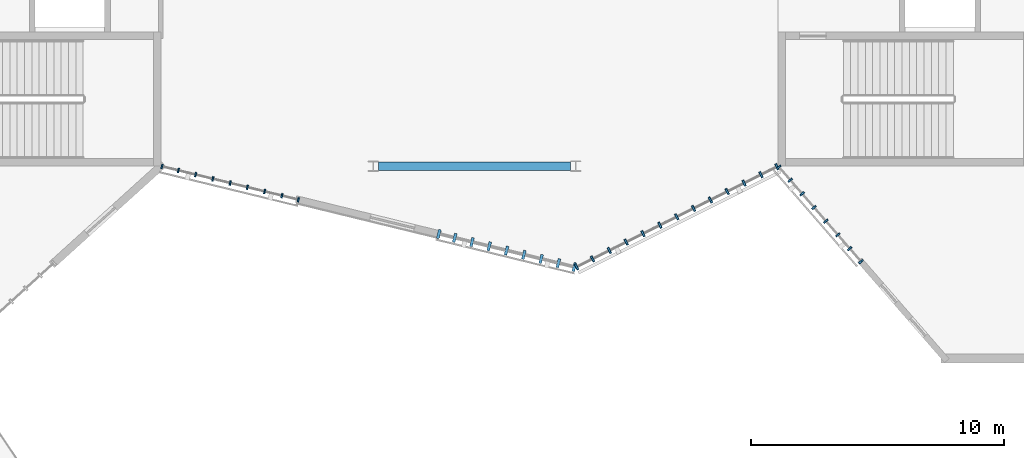
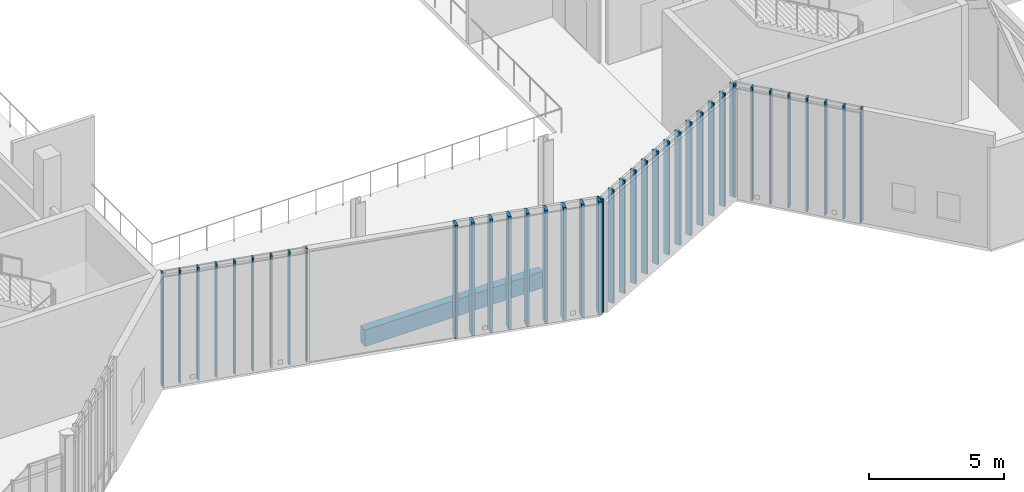
# One storey, part 24 of 127: 39 members, 1 beam, 4 elements without a shape of their own.
"""IFC4 building model written with IfcOpenShell, lengths in metres."""

import ifcopenshell
import ifcopenshell.guid

model = None  # the IFC model being written
_history = None  # IfcOwnerHistory: only IFC2X3 demands one
_inside = {}  # id of a spatial element -> (the spatial element, [elements in it])
_under = {}  # id of a project, library or spatial element -> (it, [spatial elements below it])
_declared = {}  # id of a project -> (the project, [libraries it declares])
_typed = {}  # id of a type object -> (the type object, [elements of that type])
_made_of = {}  # id of a material, layer set ... -> (it, [elements and type objects made of it])


def new_model(schema):
    """Start an empty IFC model of exactly this schema.

    Asked for "IFC4X3", IfcOpenShell would pick the latest addendum, in which some entities
    have other attributes; the version numbers below select the first issue.
    IFC2X3 requires an IfcOwnerHistory on every rooted entity: one is made here for all.
    """
    global model, _history
    if schema == "IFC4X3":
        model = ifcopenshell.file(schema_version=(4, 3, 0, 0))
    else:
        model = ifcopenshell.file(schema=schema)
    _inside.clear()
    _under.clear()
    _declared.clear()
    _typed.clear()
    _made_of.clear()
    _history = None
    if model.schema == "IFC2X3":
        org = make("IfcOrganization", Name="unknown")
        user = make(
            "IfcPersonAndOrganization",
            ThePerson=make("IfcPerson", FamilyName="unknown"),
            TheOrganization=org,
        )
        app = make(
            "IfcApplication",
            ApplicationDeveloper=org,
            Version="unknown",
            ApplicationFullName="unknown",
            ApplicationIdentifier="unknown",
        )
        _history = make(
            "IfcOwnerHistory",
            OwningUser=user,
            OwningApplication=app,
            ChangeAction="ADDED",
            CreationDate=0,
        )
    return model


def make(cls, **values):
    """One entity of the class cls with the attributes given. An attribute that is None is left unset."""
    return model.create_entity(
        cls, **{name: value for name, value in values.items() if value is not None}
    )


def rooted(cls, **values):
    """An entity with a GlobalId (a new one), such as an element, a storey or a relation."""
    return make(cls, GlobalId=ifcopenshell.guid.new(), OwnerHistory=_history, **values)


def si_unit(unit_type, name, prefix=None):
    """IfcSIUnit, for example si_unit("LENGTHUNIT", "METRE", prefix="MILLI")."""
    return make("IfcSIUnit", UnitType=unit_type, Prefix=prefix, Name=name)


def assignment(units):
    """IfcUnitAssignment: the units of a project."""
    return None if units is None else make("IfcUnitAssignment", Units=units)


def point(xyz):
    """IfcCartesianPoint."""
    return None if xyz is None else make("IfcCartesianPoint", Coordinates=xyz)


def direction(xyz):
    """IfcDirection."""
    return None if xyz is None else make("IfcDirection", DirectionRatios=xyz)


def frame(location, z_axis=None, x_axis=None):
    """IfcAxis2Placement3D, a coordinate frame: its origin and axes. An axis left out is left unset."""
    return make(
        "IfcAxis2Placement3D",
        Location=point(location),
        Axis=direction(z_axis),
        RefDirection=direction(x_axis),
    )


def frame_2d(location, x_axis=None):
    """IfcAxis2Placement2D, a coordinate frame in the plane: its origin and x axis."""
    return make(
        "IfcAxis2Placement2D", Location=point(location), RefDirection=direction(x_axis)
    )


def origin():
    """The frame at (0, 0, 0) with its axes left unset."""
    return frame((0.0, 0.0, 0.0))


def origin_2d():
    """The frame at (0, 0) in the plane with its x axis left unset."""
    return frame_2d((0.0, 0.0))


def place(relative_to, where):
    """IfcLocalPlacement: puts the frame where relative to a parent placement (None: the world)."""
    return make(
        "IfcLocalPlacement", PlacementRelTo=relative_to, RelativePlacement=where
    )


def context(
    kind, dimensions, precision=None, world=None, true_north=None, identifier=None
):
    """IfcGeometricRepresentationContext, for example the 3D "Model" context."""
    return make(
        "IfcGeometricRepresentationContext",
        ContextIdentifier=identifier,
        ContextType=kind,
        CoordinateSpaceDimension=dimensions,
        Precision=precision,
        WorldCoordinateSystem=world,
        TrueNorth=true_north,
    )


def subcontext(parent, identifier, kind, view, scale=None):
    """IfcGeometricRepresentationSubContext, for example "Body" below "Model"."""
    return make(
        "IfcGeometricRepresentationSubContext",
        ContextIdentifier=identifier,
        ContextType=kind,
        ParentContext=parent,
        TargetScale=scale,
        TargetView=view,
    )


def project(units=None, contexts=None):
    """IfcProject with its units and contexts."""
    return rooted(
        "IfcProject",
        Name="project",
        RepresentationContexts=contexts,
        UnitsInContext=assignment(units),
    )


def spatial(cls, under=None, at=None, **own):
    """A site, building, storey or space (cls), placed at a placement, below another one or the project."""
    s = rooted(cls, ObjectPlacement=at, **own)
    if under is not None:
        _under.setdefault(under.id(), (under, []))[1].append(s)
    return s


def profile(cls, at=None, kind="AREA", **sizes):
    """A parametric profile (cls). Its sizes go by their IFC names, for example OverallWidth=200.0."""
    return make(cls, ProfileType=kind, Position=at, **sizes)


def rectangle(**sizes):
    """IfcRectangleProfileDef."""
    return profile("IfcRectangleProfileDef", **sizes)


def extrude(swept, where, along, depth):
    """IfcExtrudedAreaSolid: the profile swept, set in the frame where, extruded along a direction by depth."""
    return make(
        "IfcExtrudedAreaSolid",
        SweptArea=swept,
        Position=where,
        ExtrudedDirection=direction(along),
        Depth=depth,
    )


def shape(context_of_items, identifier, shape_type, items):
    """IfcShapeRepresentation: the items that make up one representation, for example the "Body"."""
    return make(
        "IfcShapeRepresentation",
        ContextOfItems=context_of_items,
        RepresentationIdentifier=identifier,
        RepresentationType=shape_type,
        Items=items,
    )


def material(Name=None, Category=None):
    """IfcMaterial."""
    return make("IfcMaterial", Name=Name, Category=Category)


def material_profile(
    of_material, cross_section, Name=None, Category=None, Priority=None
):
    """IfcMaterialProfile: a cross section and its material."""
    return make(
        "IfcMaterialProfile",
        Name=Name,
        Material=of_material,
        Profile=cross_section,
        Priority=Priority,
        Category=Category,
    )


def profile_set(profiles, Name=None, composite=None):
    """IfcMaterialProfileSet."""
    return make(
        "IfcMaterialProfileSet",
        Name=Name,
        MaterialProfiles=profiles,
        CompositeProfile=composite,
    )


def made_of(thing, what):
    """Note that an element or type object is made of a material, layer set ...; save() writes the relation."""
    if what is not None:
        _made_of.setdefault(what.id(), (what, []))[1].append(thing)
    return thing


def type_object(cls, material=None, **own):
    """A type object (cls), such as IfcWallType, which elements share."""
    return made_of(rooted(cls, **own), material)


def element(
    cls,
    number,
    at=None,
    inside=None,
    cuts=None,
    type_object=None,
    material=None,
    context=None,
    identifier="Body",
    shape_type=None,
    held_by="IfcProductDefinitionShape",
    body=None,
    shapes=None,
    **own,
):
    """One element of the class cls, such as IfcWall. Its Tag is "e" and its number.

    at: its placement. inside: the storey or other place that contains it. cuts: it is an
    opening in that element (IfcRelVoidsElement). A single representation is given by context,
    identifier, shape_type and body (its items); several are given by shapes. held_by: the class
    of the entity that holds the representations. save() writes the other relations.
    """
    e = rooted(cls, Tag="e%d" % number, ObjectPlacement=at, **own)
    if body is not None:
        shapes = [shape(context, identifier, shape_type, body)]
    if shapes is not None:
        e.Representation = make(held_by, Representations=shapes)
    if inside is not None:
        _inside.setdefault(inside.id(), (inside, []))[1].append(e)
    if cuts is not None:
        rooted(
            "IfcRelVoidsElement", RelatingBuildingElement=cuts, RelatedOpeningElement=e
        )
    if type_object is not None:
        _typed.setdefault(type_object.id(), (type_object, []))[1].append(e)
    return made_of(e, material)


def aggregate(whole, parts):
    """IfcRelAggregates: a whole, such as a stair, and the parts it consists of."""
    return rooted("IfcRelAggregates", RelatingObject=whole, RelatedObjects=parts)


def save(model, path):
    """Write the relations noted so far, then the file.

    IfcRelAggregates (storeys below a building ...), IfcRelContainedInSpatialStructure (elements
    in a storey), IfcRelDefinesByType, IfcRelAssociatesMaterial and IfcRelDeclares: one each for
    every whole, place, type object, material and project.
    """
    for whole, parts in _under.values():
        aggregate(whole, parts)
    for where, things in _inside.values():
        rooted(
            "IfcRelContainedInSpatialStructure",
            RelatedElements=things,
            RelatingStructure=where,
        )
    for kind, things in _typed.values():
        rooted("IfcRelDefinesByType", RelatedObjects=things, RelatingType=kind)
    for what, things in _made_of.values():
        rooted("IfcRelAssociatesMaterial", RelatedObjects=things, RelatingMaterial=what)
    for by, libraries in _declared.values():
        rooted("IfcRelDeclares", RelatingContext=by, RelatedDefinitions=libraries)
    model.write(path)


model = new_model("IFC4")

# Units and contexts
model_context = context("Model", 3, precision=1e-05, world=origin(), true_north=direction((0.0, 1.0)))
body_context = subcontext(model_context, "Body", "Model", "MODEL_VIEW")
ifc_project = project(units=[si_unit("LENGTHUNIT", "METRE"), si_unit("AREAUNIT", "SQUARE_METRE"), si_unit("VOLUMEUNIT", "CUBIC_METRE"), si_unit("PLANEANGLEUNIT", "RADIAN"), si_unit("MASSUNIT", "GRAM", prefix="KILO")], contexts=[model_context])

# Site, building, storey
site_placement = place(None, origin())
site = spatial("IfcSite", under=ifc_project, at=site_placement, CompositionType="ELEMENT")
building_placement = place(site_placement, origin())
building = spatial("IfcBuilding", under=site, at=building_placement, Name="Larkvane Passage Sports Hall", CompositionType="ELEMENT")
storey_placement = place(building_placement, frame((0.0, 0.0, 5.39990234375)))
storey = spatial("IfcBuildingStorey", under=building, at=storey_placement, Name="L01", CompositionType="ELEMENT", Elevation=5.39990234375)

# Curtain wall, members
ifc_material_1 = material(Name="Thermally broken aluminium and low-E glazing", Category="aluminium")
curtain_wall_type_1 = type_object("IfcCurtainWallType", Name="CW-CLINIC", PredefinedType="USERDEFINED", material=ifc_material_1)
curtain_wall_1_placement = place(storey_placement, origin())
curtain_wall_1 = element("IfcCurtainWall", 1, at=curtain_wall_1_placement, inside=storey, type_object=curtain_wall_type_1, Name="Curtain wall CW5-L01-063", ObjectType="UNITISED CURTAIN WALL", PredefinedType="USERDEFINED")
ifc_material_2 = material(Name="Anodised aluminium 6063-T6", Category="aluminium")
ifc_material_profile_1 = material_profile(ifc_material_2, rectangle(XDim=0.110107421875, YDim=0.360107421875, at=origin_2d()), Name="ALU-MUL-110x360")
ifc_profile_set_1 = profile_set([ifc_material_profile_1], Name="Anodised aluminium 6063-T6")
member_type_1 = type_object("IfcMemberType", Name="CW-MUL-110x360", PredefinedType="MULLION", material=ifc_profile_set_1)
member_1_placement = place(storey_placement, frame((109.946533203125, 18.81298828125, 0.0), z_axis=(0.0, 0.0, 1.0), x_axis=(-0.971522035097, 0.236949225196, 0.0)))
member_1 = element("IfcMember", 2, at=member_1_placement, type_object=member_type_1, Name="CW-05 mullion 1", PredefinedType="MULLION", context=body_context, shape_type="SweptSolid", body=[
    extrude(rectangle(XDim=0.110107421875, YDim=0.360107421875, at=origin_2d()), origin(), (0.0, 0.0, 1.0), 5.10009765625),
])
member_2_placement = place(storey_placement, frame((109.316650390625, 18.966552734375, 0.0), z_axis=(0.0, 0.0, 1.0), x_axis=(-0.971522035097, 0.236949225196, 0.0)))
member_2 = element("IfcMember", 3, at=member_2_placement, type_object=member_type_1, Name="CW-05 mullion 2", PredefinedType="MULLION", context=body_context, shape_type="SweptSolid", body=[
    extrude(rectangle(XDim=0.110107421875, YDim=0.360107421875, at=origin_2d()), origin(), (0.0, 0.0, 1.0), 5.10009765625),
])
member_3_placement = place(storey_placement, frame((108.63330078125, 19.13330078125, 0.0), z_axis=(0.0, 0.0, 1.0), x_axis=(-0.971522035097, 0.236949225196, 0.0)))
member_3 = element("IfcMember", 4, at=member_3_placement, type_object=member_type_1, Name="CW-05 mullion 3", PredefinedType="MULLION", context=body_context, shape_type="SweptSolid", body=[
    extrude(rectangle(XDim=0.110107421875, YDim=0.360107421875, at=origin_2d()), origin(), (0.0, 0.0, 1.0), 5.10009765625),
])
member_4_placement = place(storey_placement, frame((107.949951171875, 19.300048828125, 0.0), z_axis=(0.0, 0.0, 1.0), x_axis=(-0.971522035097, 0.236949225196, 0.0)))
member_4 = element("IfcMember", 5, at=member_4_placement, type_object=member_type_1, Name="CW-05 mullion 4", PredefinedType="MULLION", context=body_context, shape_type="SweptSolid", body=[
    extrude(rectangle(XDim=0.110107421875, YDim=0.360107421875, at=origin_2d()), origin(), (0.0, 0.0, 1.0), 5.10009765625),
])
member_5_placement = place(storey_placement, frame((107.2666015625, 19.466552734375, 0.0), z_axis=(0.0, 0.0, 1.0), x_axis=(-0.971522035097, 0.236949225196, 0.0)))
member_5 = element("IfcMember", 6, at=member_5_placement, type_object=member_type_1, Name="CW-05 mullion 5", PredefinedType="MULLION", context=body_context, shape_type="SweptSolid", body=[
    extrude(rectangle(XDim=0.110107421875, YDim=0.360107421875, at=origin_2d()), origin(), (0.0, 0.0, 1.0), 5.10009765625),
])
member_6_placement = place(storey_placement, frame((106.583251953125, 19.63330078125, 0.0), z_axis=(0.0, 0.0, 1.0), x_axis=(-0.971522035097, 0.236949225196, 0.0)))
member_6 = element("IfcMember", 7, at=member_6_placement, type_object=member_type_1, Name="CW-05 mullion 6", PredefinedType="MULLION", context=body_context, shape_type="SweptSolid", body=[
    extrude(rectangle(XDim=0.110107421875, YDim=0.360107421875, at=origin_2d()), origin(), (0.0, 0.0, 1.0), 5.10009765625),
])
member_7_placement = place(storey_placement, frame((105.89990234375, 19.800048828125, 0.0), z_axis=(0.0, 0.0, 1.0), x_axis=(-0.971522035097, 0.236949225196, 0.0)))
member_7 = element("IfcMember", 8, at=member_7_placement, type_object=member_type_1, Name="CW-05 mullion 7", PredefinedType="MULLION", context=body_context, shape_type="SweptSolid", body=[
    extrude(rectangle(XDim=0.110107421875, YDim=0.360107421875, at=origin_2d()), origin(), (0.0, 0.0, 1.0), 5.10009765625),
])
member_8_placement = place(storey_placement, frame((105.216552734375, 19.966552734375, 0.0), z_axis=(0.0, 0.0, 1.0), x_axis=(-0.971522035097, 0.236949225196, 0.0)))
member_8 = element("IfcMember", 9, at=member_8_placement, type_object=member_type_1, Name="CW-05 mullion 8", PredefinedType="MULLION", context=body_context, shape_type="SweptSolid", body=[
    extrude(rectangle(XDim=0.110107421875, YDim=0.360107421875, at=origin_2d()), origin(), (0.0, 0.0, 1.0), 5.10009765625),
])
member_9_placement = place(storey_placement, frame((104.586669921875, 20.120361328125, 0.0), z_axis=(0.0, 0.0, 1.0), x_axis=(-0.971522035097, 0.236949225196, 0.0)))
member_9 = element("IfcMember", 10, at=member_9_placement, type_object=member_type_1, Name="CW-05 mullion 9", PredefinedType="MULLION", context=body_context, shape_type="SweptSolid", body=[
    extrude(rectangle(XDim=0.110107421875, YDim=0.360107421875, at=origin_2d()), origin(), (0.0, 0.0, 1.0), 5.10009765625),
])
aggregate(curtain_wall_1, [member_1, member_2, member_3, member_4, member_5, member_6, member_7, member_8, member_9])

curtain_wall_type_2 = type_object("IfcCurtainWallType", Name="CW-UNIT-COURT", PredefinedType="USERDEFINED", material=ifc_material_1)
curtain_wall_2_placement = place(storey_placement, origin())
curtain_wall_2 = element("IfcCurtainWall", 11, at=curtain_wall_2_placement, inside=storey, type_object=curtain_wall_type_2, Name="Curtain wall CW5-L01-064", ObjectType="UNITISED CURTAIN WALL", PredefinedType="USERDEFINED")
ifc_material_profile_2 = material_profile(ifc_material_2, rectangle(XDim=0.06494140625, YDim=0.179931640625, at=origin_2d()), Name="ALU-MUL-65x180")
ifc_profile_set_2 = profile_set([ifc_material_profile_2], Name="Anodised aluminium 6063-T6")
member_type_2 = type_object("IfcMemberType", Name="CW-MUL-65x180", PredefinedType="MULLION", material=ifc_profile_set_2)
member_10_placement = place(storey_placement, frame((99.03515625, 21.474365234375, 0.0), z_axis=(0.0, 0.0, 1.0), x_axis=(-0.971523437526, 0.236943474986, 0.0)))
member_10 = element("IfcMember", 12, at=member_10_placement, type_object=member_type_2, Name="CW-01 mullion 1", PredefinedType="MULLION", context=body_context, shape_type="SweptSolid", body=[
    extrude(rectangle(XDim=0.06494140625, YDim=0.179931640625, at=origin_2d()), origin(), (0.0, 0.0, 1.0), 5.10009765625),
])
member_11_placement = place(storey_placement, frame((98.384521484375, 21.633056640625, 0.0), z_axis=(0.0, 0.0, 1.0), x_axis=(-0.971523437526, 0.236943474986, 0.0)))
member_11 = element("IfcMember", 13, at=member_11_placement, type_object=member_type_2, Name="CW-01 mullion 2", PredefinedType="MULLION", context=body_context, shape_type="SweptSolid", body=[
    extrude(rectangle(XDim=0.06494140625, YDim=0.179931640625, at=origin_2d()), origin(), (0.0, 0.0, 1.0), 5.10009765625),
])
member_12_placement = place(storey_placement, frame((97.702392578125, 21.79931640625, 0.0), z_axis=(0.0, 0.0, 1.0), x_axis=(-0.971523437526, 0.236943474986, 0.0)))
member_12 = element("IfcMember", 14, at=member_12_placement, type_object=member_type_2, Name="CW-01 mullion 3", PredefinedType="MULLION", context=body_context, shape_type="SweptSolid", body=[
    extrude(rectangle(XDim=0.06494140625, YDim=0.179931640625, at=origin_2d()), origin(), (0.0, 0.0, 1.0), 5.10009765625),
])
member_13_placement = place(storey_placement, frame((97.020263671875, 21.9658203125, 0.0), z_axis=(0.0, 0.0, 1.0), x_axis=(-0.971523437526, 0.236943474986, 0.0)))
member_13 = element("IfcMember", 15, at=member_13_placement, type_object=member_type_2, Name="CW-01 mullion 4", PredefinedType="MULLION", context=body_context, shape_type="SweptSolid", body=[
    extrude(rectangle(XDim=0.06494140625, YDim=0.179931640625, at=origin_2d()), origin(), (0.0, 0.0, 1.0), 5.10009765625),
])
member_14_placement = place(storey_placement, frame((96.338134765625, 22.132080078125, 0.0), z_axis=(0.0, 0.0, 1.0), x_axis=(-0.971523437526, 0.236943474986, 0.0)))
member_14 = element("IfcMember", 16, at=member_14_placement, type_object=member_type_2, Name="CW-01 mullion 5", PredefinedType="MULLION", context=body_context, shape_type="SweptSolid", body=[
    extrude(rectangle(XDim=0.06494140625, YDim=0.179931640625, at=origin_2d()), origin(), (0.0, 0.0, 1.0), 5.10009765625),
])
member_15_placement = place(storey_placement, frame((95.656005859375, 22.298583984375, 0.0), z_axis=(0.0, 0.0, 1.0), x_axis=(-0.971523437526, 0.236943474986, 0.0)))
member_15 = element("IfcMember", 17, at=member_15_placement, type_object=member_type_2, Name="CW-01 mullion 6", PredefinedType="MULLION", context=body_context, shape_type="SweptSolid", body=[
    extrude(rectangle(XDim=0.06494140625, YDim=0.179931640625, at=origin_2d()), origin(), (0.0, 0.0, 1.0), 5.10009765625),
])
member_16_placement = place(storey_placement, frame((94.973876953125, 22.46484375, 0.0), z_axis=(0.0, 0.0, 1.0), x_axis=(-0.971523437526, 0.236943474986, 0.0)))
member_16 = element("IfcMember", 18, at=member_16_placement, type_object=member_type_2, Name="CW-01 mullion 7", PredefinedType="MULLION", context=body_context, shape_type="SweptSolid", body=[
    extrude(rectangle(XDim=0.06494140625, YDim=0.179931640625, at=origin_2d()), origin(), (0.0, 0.0, 1.0), 5.10009765625),
])
member_17_placement = place(storey_placement, frame((94.291748046875, 22.63134765625, 0.0), z_axis=(0.0, 0.0, 1.0), x_axis=(-0.971523437526, 0.236943474986, 0.0)))
member_17 = element("IfcMember", 19, at=member_17_placement, type_object=member_type_2, Name="CW-01 mullion 8", PredefinedType="MULLION", context=body_context, shape_type="SweptSolid", body=[
    extrude(rectangle(XDim=0.06494140625, YDim=0.179931640625, at=origin_2d()), origin(), (0.0, 0.0, 1.0), 5.10009765625),
])
member_18_placement = place(storey_placement, frame((93.641357421875, 22.789794921875, 0.0), z_axis=(0.0, 0.0, 1.0), x_axis=(-0.971523437526, 0.236943474986, 0.0)))
member_18 = element("IfcMember", 20, at=member_18_placement, type_object=member_type_2, Name="CW-01 mullion 9", PredefinedType="MULLION", context=body_context, shape_type="SweptSolid", body=[
    extrude(rectangle(XDim=0.06494140625, YDim=0.179931640625, at=origin_2d()), origin(), (0.0, 0.0, 1.0), 5.10009765625),
])
aggregate(curtain_wall_2, [member_10, member_11, member_12, member_13, member_14, member_15, member_16, member_17, member_18])

curtain_wall_type_3 = type_object("IfcCurtainWallType", Name="CW-UNIT-VEIL", PredefinedType="USERDEFINED", material=ifc_material_1)
curtain_wall_3_placement = place(storey_placement, origin())
curtain_wall_3 = element("IfcCurtainWall", 21, at=curtain_wall_3_placement, inside=storey, type_object=curtain_wall_type_3, Name="Curtain wall CW5-L01-061", ObjectType="UNITISED CURTAIN WALL", PredefinedType="USERDEFINED")
ifc_material_profile_3 = material_profile(ifc_material_2, rectangle(XDim=0.070068359375, YDim=0.199951171875, at=origin_2d()), Name="ALU-MUL-70x200")
ifc_profile_set_3 = profile_set([ifc_material_profile_3], Name="Anodised aluminium 6063-T6")
member_type_3 = type_object("IfcMemberType", Name="CW-MUL-70x200", PredefinedType="MULLION", material=ifc_profile_set_3)
member_19_placement = place(storey_placement, frame((121.277099609375, 19.0263671875, 0.0), z_axis=(0.0, 0.0, 1.0), x_axis=(-0.655684862253, 0.755034675635, 0.0)))
member_19 = element("IfcMember", 22, at=member_19_placement, type_object=member_type_3, Name="CW-02 mullion 1", PredefinedType="MULLION", context=body_context, shape_type="SweptSolid", body=[
    extrude(rectangle(XDim=0.070068359375, YDim=0.199951171875, at=origin_2d()), origin(), (0.0, 0.0, 1.0), 5.10009765625),
])
member_20_placement = place(storey_placement, frame((120.829833984375, 19.54150390625, 0.0), z_axis=(0.0, 0.0, 1.0), x_axis=(-0.655684862253, 0.755034675635, 0.0)))
member_20 = element("IfcMember", 23, at=member_20_placement, type_object=member_type_3, Name="CW-02 mullion 2", PredefinedType="MULLION", context=body_context, shape_type="SweptSolid", body=[
    extrude(rectangle(XDim=0.070068359375, YDim=0.199951171875, at=origin_2d()), origin(), (0.0, 0.0, 1.0), 5.10009765625),
])
member_21_placement = place(storey_placement, frame((120.359619140625, 20.082763671875, 0.0), z_axis=(0.0, 0.0, 1.0), x_axis=(-0.655684862253, 0.755034675635, 0.0)))
member_21 = element("IfcMember", 24, at=member_21_placement, type_object=member_type_3, Name="CW-02 mullion 3", PredefinedType="MULLION", context=body_context, shape_type="SweptSolid", body=[
    extrude(rectangle(XDim=0.070068359375, YDim=0.199951171875, at=origin_2d()), origin(), (0.0, 0.0, 1.0), 5.10009765625),
])
member_22_placement = place(storey_placement, frame((119.889404296875, 20.624267578125, 0.0), z_axis=(0.0, 0.0, 1.0), x_axis=(-0.655684862253, 0.755034675635, 0.0)))
member_22 = element("IfcMember", 25, at=member_22_placement, type_object=member_type_3, Name="CW-02 mullion 4", PredefinedType="MULLION", context=body_context, shape_type="SweptSolid", body=[
    extrude(rectangle(XDim=0.070068359375, YDim=0.199951171875, at=origin_2d()), origin(), (0.0, 0.0, 1.0), 5.10009765625),
])
member_23_placement = place(storey_placement, frame((119.419189453125, 21.165771484375, 0.0), z_axis=(0.0, 0.0, 1.0), x_axis=(-0.655684862253, 0.755034675635, 0.0)))
member_23 = element("IfcMember", 26, at=member_23_placement, type_object=member_type_3, Name="CW-02 mullion 5", PredefinedType="MULLION", context=body_context, shape_type="SweptSolid", body=[
    extrude(rectangle(XDim=0.070068359375, YDim=0.199951171875, at=origin_2d()), origin(), (0.0, 0.0, 1.0), 5.10009765625),
])
member_24_placement = place(storey_placement, frame((118.948974609375, 21.70703125, 0.0), z_axis=(0.0, 0.0, 1.0), x_axis=(-0.655684862253, 0.755034675635, 0.0)))
member_24 = element("IfcMember", 27, at=member_24_placement, type_object=member_type_3, Name="CW-02 mullion 6", PredefinedType="MULLION", context=body_context, shape_type="SweptSolid", body=[
    extrude(rectangle(XDim=0.070068359375, YDim=0.199951171875, at=origin_2d()), origin(), (0.0, 0.0, 1.0), 5.10009765625),
])
member_25_placement = place(storey_placement, frame((118.47900390625, 22.24853515625, 0.0), z_axis=(0.0, 0.0, 1.0), x_axis=(-0.655684862253, 0.755034675635, 0.0)))
member_25 = element("IfcMember", 28, at=member_25_placement, type_object=member_type_3, Name="CW-02 mullion 7", PredefinedType="MULLION", context=body_context, shape_type="SweptSolid", body=[
    extrude(rectangle(XDim=0.070068359375, YDim=0.199951171875, at=origin_2d()), origin(), (0.0, 0.0, 1.0), 5.10009765625),
])
member_26_placement = place(storey_placement, frame((118.03173828125, 22.763671875, 0.0), z_axis=(0.0, 0.0, 1.0), x_axis=(-0.655684862253, 0.755034675635, 0.0)))
member_26 = element("IfcMember", 29, at=member_26_placement, type_object=member_type_3, Name="CW-02 mullion 8", PredefinedType="MULLION", context=body_context, shape_type="SweptSolid", body=[
    extrude(rectangle(XDim=0.070068359375, YDim=0.199951171875, at=origin_2d()), origin(), (0.0, 0.0, 1.0), 5.10009765625),
])
aggregate(curtain_wall_3, [member_19, member_20, member_21, member_22, member_23, member_24, member_25, member_26])

curtain_wall_type_4 = type_object("IfcCurtainWallType", Name="CW-STICK-FOYER", PredefinedType="USERDEFINED", material=ifc_material_1)
curtain_wall_4_placement = place(storey_placement, origin())
curtain_wall_4 = element("IfcCurtainWall", 30, at=curtain_wall_4_placement, inside=storey, type_object=curtain_wall_type_4, Name="Curtain wall CW5-L01-062", ObjectType="STICK CURTAIN WALL", PredefinedType="USERDEFINED")
ifc_material_profile_4 = material_profile(ifc_material_2, rectangle(XDim=0.080078125, YDim=0.25, at=origin_2d()), Name="ALU-MUL-80x250")
ifc_profile_set_4 = profile_set([ifc_material_profile_4], Name="Anodised aluminium 6063-T6")
member_type_4 = type_object("IfcMemberType", Name="CW-MUL-80x250", PredefinedType="MULLION", material=ifc_profile_set_4)
member_27_placement = place(storey_placement, frame((117.955322265625, 22.777587890625, 0.0), z_axis=(0.0, 0.0, 1.0), x_axis=(-0.894429429556, -0.44720911836, 0.0)))
member_27 = element("IfcMember", 31, at=member_27_placement, type_object=member_type_4, Name="CW-03 mullion 1", PredefinedType="MULLION", context=body_context, shape_type="SweptSolid", body=[
    extrude(rectangle(XDim=0.080078125, YDim=0.25, at=origin_2d()), origin(), (0.0, 0.0, 1.0), 5.10009765625),
])
member_28_placement = place(storey_placement, frame((117.3251953125, 22.462646484375, 0.0), z_axis=(0.0, 0.0, 1.0), x_axis=(-0.894429429556, -0.44720911836, 0.0)))
member_28 = element("IfcMember", 32, at=member_28_placement, type_object=member_type_4, Name="CW-03 mullion 2", PredefinedType="MULLION", context=body_context, shape_type="SweptSolid", body=[
    extrude(rectangle(XDim=0.080078125, YDim=0.25, at=origin_2d()), origin(), (0.0, 0.0, 1.0), 5.10009765625),
])
member_29_placement = place(storey_placement, frame((116.6591796875, 22.129638671875, 0.0), z_axis=(0.0, 0.0, 1.0), x_axis=(-0.894429429556, -0.44720911836, 0.0)))
member_29 = element("IfcMember", 33, at=member_29_placement, type_object=member_type_4, Name="CW-03 mullion 3", PredefinedType="MULLION", context=body_context, shape_type="SweptSolid", body=[
    extrude(rectangle(XDim=0.080078125, YDim=0.25, at=origin_2d()), origin(), (0.0, 0.0, 1.0), 5.10009765625),
])
member_30_placement = place(storey_placement, frame((115.993408203125, 21.796630859375, 0.0), z_axis=(0.0, 0.0, 1.0), x_axis=(-0.894429429556, -0.44720911836, 0.0)))
member_30 = element("IfcMember", 34, at=member_30_placement, type_object=member_type_4, Name="CW-03 mullion 4", PredefinedType="MULLION", context=body_context, shape_type="SweptSolid", body=[
    extrude(rectangle(XDim=0.080078125, YDim=0.25, at=origin_2d()), origin(), (0.0, 0.0, 1.0), 5.10009765625),
])
member_31_placement = place(storey_placement, frame((115.327392578125, 21.463623046875, 0.0), z_axis=(0.0, 0.0, 1.0), x_axis=(-0.894429429556, -0.44720911836, 0.0)))
member_31 = element("IfcMember", 35, at=member_31_placement, type_object=member_type_4, Name="CW-03 mullion 5", PredefinedType="MULLION", context=body_context, shape_type="SweptSolid", body=[
    extrude(rectangle(XDim=0.080078125, YDim=0.25, at=origin_2d()), origin(), (0.0, 0.0, 1.0), 5.10009765625),
])
member_32_placement = place(storey_placement, frame((114.661376953125, 21.130615234375, 0.0), z_axis=(0.0, 0.0, 1.0), x_axis=(-0.894429429556, -0.44720911836, 0.0)))
member_32 = element("IfcMember", 36, at=member_32_placement, type_object=member_type_4, Name="CW-03 mullion 6", PredefinedType="MULLION", context=body_context, shape_type="SweptSolid", body=[
    extrude(rectangle(XDim=0.080078125, YDim=0.25, at=origin_2d()), origin(), (0.0, 0.0, 1.0), 5.10009765625),
])
member_33_placement = place(storey_placement, frame((113.99560546875, 20.7978515625, 0.0), z_axis=(0.0, 0.0, 1.0), x_axis=(-0.894429429556, -0.44720911836, 0.0)))
member_33 = element("IfcMember", 37, at=member_33_placement, type_object=member_type_4, Name="CW-03 mullion 7", PredefinedType="MULLION", context=body_context, shape_type="SweptSolid", body=[
    extrude(rectangle(XDim=0.080078125, YDim=0.25, at=origin_2d()), origin(), (0.0, 0.0, 1.0), 5.10009765625),
])
member_34_placement = place(storey_placement, frame((113.32958984375, 20.46484375, 0.0), z_axis=(0.0, 0.0, 1.0), x_axis=(-0.894429429556, -0.44720911836, 0.0)))
member_34 = element("IfcMember", 38, at=member_34_placement, type_object=member_type_4, Name="CW-03 mullion 8", PredefinedType="MULLION", context=body_context, shape_type="SweptSolid", body=[
    extrude(rectangle(XDim=0.080078125, YDim=0.25, at=origin_2d()), origin(), (0.0, 0.0, 1.0), 5.10009765625),
])
member_35_placement = place(storey_placement, frame((112.663818359375, 20.1318359375, 0.0), z_axis=(0.0, 0.0, 1.0), x_axis=(-0.894429429556, -0.44720911836, 0.0)))
member_35 = element("IfcMember", 39, at=member_35_placement, type_object=member_type_4, Name="CW-03 mullion 9", PredefinedType="MULLION", context=body_context, shape_type="SweptSolid", body=[
    extrude(rectangle(XDim=0.080078125, YDim=0.25, at=origin_2d()), origin(), (0.0, 0.0, 1.0), 5.10009765625),
])
member_36_placement = place(storey_placement, frame((111.997802734375, 19.798828125, 0.0), z_axis=(0.0, 0.0, 1.0), x_axis=(-0.894429429556, -0.44720911836, 0.0)))
member_36 = element("IfcMember", 40, at=member_36_placement, type_object=member_type_4, Name="CW-03 mullion 10", PredefinedType="MULLION", context=body_context, shape_type="SweptSolid", body=[
    extrude(rectangle(XDim=0.080078125, YDim=0.25, at=origin_2d()), origin(), (0.0, 0.0, 1.0), 5.10009765625),
])
member_37_placement = place(storey_placement, frame((111.331787109375, 19.4658203125, 0.0), z_axis=(0.0, 0.0, 1.0), x_axis=(-0.894429429556, -0.44720911836, 0.0)))
member_37 = element("IfcMember", 41, at=member_37_placement, type_object=member_type_4, Name="CW-03 mullion 11", PredefinedType="MULLION", context=body_context, shape_type="SweptSolid", body=[
    extrude(rectangle(XDim=0.080078125, YDim=0.25, at=origin_2d()), origin(), (0.0, 0.0, 1.0), 5.10009765625),
])
member_38_placement = place(storey_placement, frame((110.666015625, 19.133056640625, 0.0), z_axis=(0.0, 0.0, 1.0), x_axis=(-0.894429429556, -0.44720911836, 0.0)))
member_38 = element("IfcMember", 42, at=member_38_placement, type_object=member_type_4, Name="CW-03 mullion 12", PredefinedType="MULLION", context=body_context, shape_type="SweptSolid", body=[
    extrude(rectangle(XDim=0.080078125, YDim=0.25, at=origin_2d()), origin(), (0.0, 0.0, 1.0), 5.10009765625),
])
member_39_placement = place(storey_placement, frame((110.035888671875, 18.81787109375, 0.0), z_axis=(0.0, 0.0, 1.0), x_axis=(-0.894429429556, -0.44720911836, 0.0)))
member_39 = element("IfcMember", 43, at=member_39_placement, type_object=member_type_4, Name="CW-03 mullion 13", PredefinedType="MULLION", context=body_context, shape_type="SweptSolid", body=[
    extrude(rectangle(XDim=0.080078125, YDim=0.25, at=origin_2d()), origin(), (0.0, 0.0, 1.0), 5.10009765625),
])
aggregate(curtain_wall_4, [member_27, member_28, member_29, member_30, member_31, member_32, member_33, member_34, member_35, member_36, member_37, member_38, member_39])

# Beam
ifc_material_3 = material(Name="Concrete C40/50", Category="concrete")
ifc_material_profile_5 = material_profile(ifc_material_3, rectangle(XDim=0.35009765625, YDim=0.75, at=origin_2d()), Name="RC-SP-350x750")
ifc_profile_set_5 = profile_set([ifc_material_profile_5], Name="Concrete C40/50")
beam_type = type_object("IfcBeamType", Name="SP-RC-350x750", PredefinedType="SPANDREL", material=ifc_profile_set_5)
beam_placement = place(storey_placement, frame((102.199951171875, 22.800048828125, -0.794921875), z_axis=(1.0, 0.0, 0.0), x_axis=(0.0, 1.0, 0.0)))
element("IfcBeam", 44, at=beam_placement, inside=storey, type_object=beam_type, Name="Girder BM5-X-L01-D-0389", PredefinedType="SPANDREL", context=body_context, shape_type="SweptSolid", body=[
    extrude(rectangle(XDim=0.35009765625, YDim=0.75, at=origin_2d()), origin(), (0.0, 0.0, 1.0), 7.596435546875),
])

save(model, "model.ifc")
